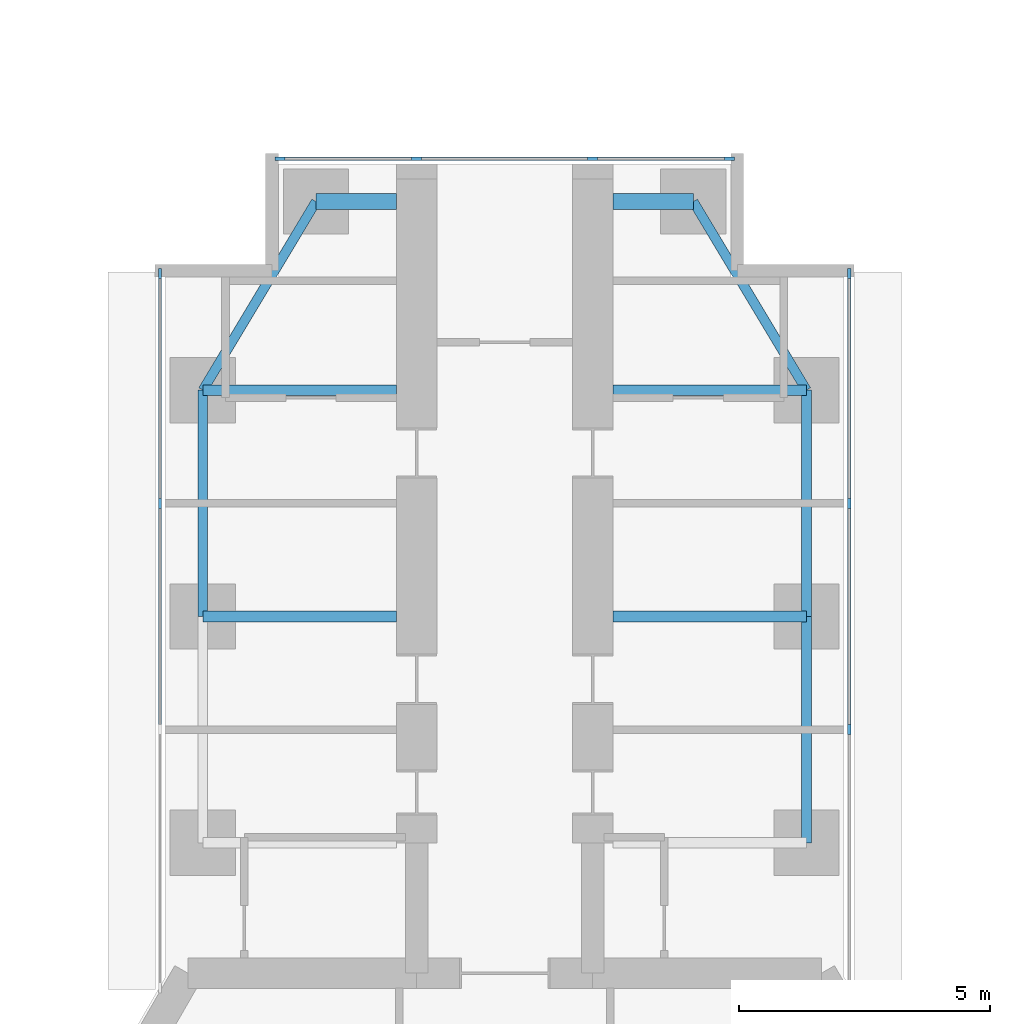
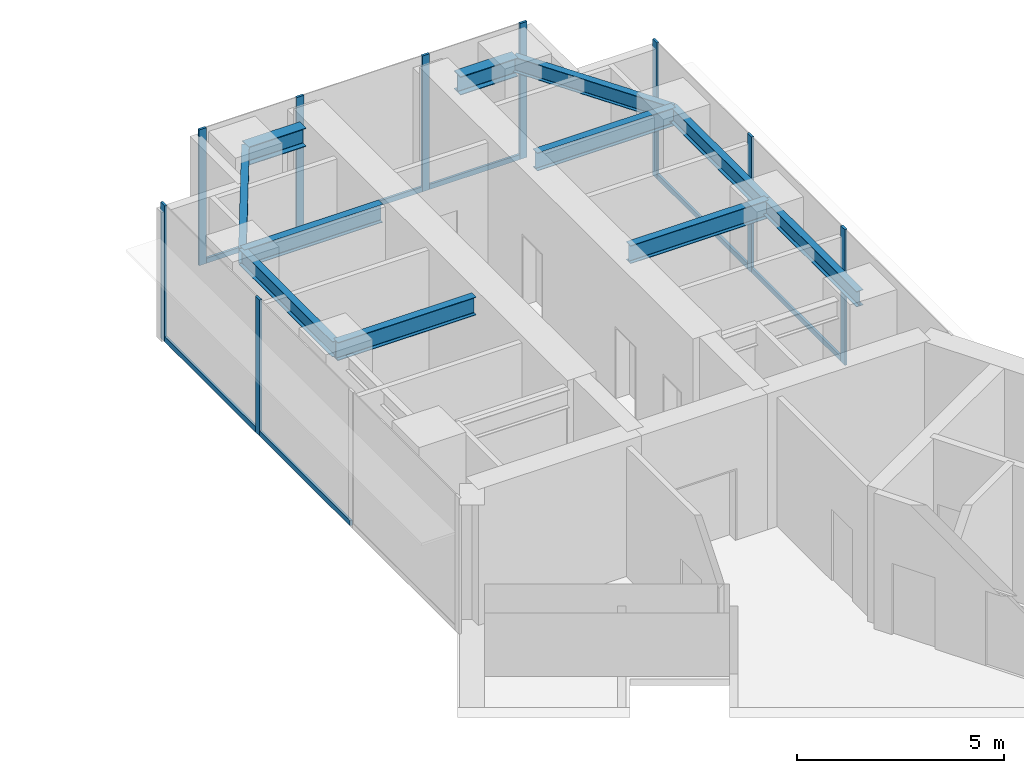
# One storey, part 12 of 22: 16 members, 11 beams, 3 elements without a shape of their own.
"""IFC4 building model written with IfcOpenShell, lengths in metres."""

import ifcopenshell
import ifcopenshell.guid

model = None  # the IFC model being written
_history = None  # IfcOwnerHistory: only IFC2X3 demands one
_inside = {}  # id of a spatial element -> (the spatial element, [elements in it])
_under = {}  # id of a project, library or spatial element -> (it, [spatial elements below it])
_declared = {}  # id of a project -> (the project, [libraries it declares])
_typed = {}  # id of a type object -> (the type object, [elements of that type])
_made_of = {}  # id of a material, layer set ... -> (it, [elements and type objects made of it])


def new_model(schema):
    """Start an empty IFC model of exactly this schema.

    Asked for "IFC4X3", IfcOpenShell would pick the latest addendum, in which some entities
    have other attributes; the version numbers below select the first issue.
    IFC2X3 requires an IfcOwnerHistory on every rooted entity: one is made here for all.
    """
    global model, _history
    if schema == "IFC4X3":
        model = ifcopenshell.file(schema_version=(4, 3, 0, 0))
    else:
        model = ifcopenshell.file(schema=schema)
    _inside.clear()
    _under.clear()
    _declared.clear()
    _typed.clear()
    _made_of.clear()
    _history = None
    if model.schema == "IFC2X3":
        org = make("IfcOrganization", Name="unknown")
        user = make(
            "IfcPersonAndOrganization",
            ThePerson=make("IfcPerson", FamilyName="unknown"),
            TheOrganization=org,
        )
        app = make(
            "IfcApplication",
            ApplicationDeveloper=org,
            Version="unknown",
            ApplicationFullName="unknown",
            ApplicationIdentifier="unknown",
        )
        _history = make(
            "IfcOwnerHistory",
            OwningUser=user,
            OwningApplication=app,
            ChangeAction="ADDED",
            CreationDate=0,
        )
    return model


def make(cls, **values):
    """One entity of the class cls with the attributes given. An attribute that is None is left unset."""
    return model.create_entity(
        cls, **{name: value for name, value in values.items() if value is not None}
    )


def rooted(cls, **values):
    """An entity with a GlobalId (a new one), such as an element, a storey or a relation."""
    return make(cls, GlobalId=ifcopenshell.guid.new(), OwnerHistory=_history, **values)


def si_unit(unit_type, name, prefix=None):
    """IfcSIUnit, for example si_unit("LENGTHUNIT", "METRE", prefix="MILLI")."""
    return make("IfcSIUnit", UnitType=unit_type, Prefix=prefix, Name=name)


def assignment(units):
    """IfcUnitAssignment: the units of a project."""
    return None if units is None else make("IfcUnitAssignment", Units=units)


def point(xyz):
    """IfcCartesianPoint."""
    return None if xyz is None else make("IfcCartesianPoint", Coordinates=xyz)


def direction(xyz):
    """IfcDirection."""
    return None if xyz is None else make("IfcDirection", DirectionRatios=xyz)


def frame(location, z_axis=None, x_axis=None):
    """IfcAxis2Placement3D, a coordinate frame: its origin and axes. An axis left out is left unset."""
    return make(
        "IfcAxis2Placement3D",
        Location=point(location),
        Axis=direction(z_axis),
        RefDirection=direction(x_axis),
    )


def frame_2d(location, x_axis=None):
    """IfcAxis2Placement2D, a coordinate frame in the plane: its origin and x axis."""
    return make(
        "IfcAxis2Placement2D", Location=point(location), RefDirection=direction(x_axis)
    )


def origin():
    """The frame at (0, 0, 0) with its axes left unset."""
    return frame((0.0, 0.0, 0.0))


def origin_2d():
    """The frame at (0, 0) in the plane with its x axis left unset."""
    return frame_2d((0.0, 0.0))


def place(relative_to, where):
    """IfcLocalPlacement: puts the frame where relative to a parent placement (None: the world)."""
    return make(
        "IfcLocalPlacement", PlacementRelTo=relative_to, RelativePlacement=where
    )


def context(
    kind, dimensions, precision=None, world=None, true_north=None, identifier=None
):
    """IfcGeometricRepresentationContext, for example the 3D "Model" context."""
    return make(
        "IfcGeometricRepresentationContext",
        ContextIdentifier=identifier,
        ContextType=kind,
        CoordinateSpaceDimension=dimensions,
        Precision=precision,
        WorldCoordinateSystem=world,
        TrueNorth=true_north,
    )


def subcontext(parent, identifier, kind, view, scale=None):
    """IfcGeometricRepresentationSubContext, for example "Body" below "Model"."""
    return make(
        "IfcGeometricRepresentationSubContext",
        ContextIdentifier=identifier,
        ContextType=kind,
        ParentContext=parent,
        TargetScale=scale,
        TargetView=view,
    )


def project(units=None, contexts=None):
    """IfcProject with its units and contexts."""
    return rooted(
        "IfcProject",
        Name="project",
        RepresentationContexts=contexts,
        UnitsInContext=assignment(units),
    )


def spatial(cls, under=None, at=None, **own):
    """A site, building, storey or space (cls), placed at a placement, below another one or the project."""
    s = rooted(cls, ObjectPlacement=at, **own)
    if under is not None:
        _under.setdefault(under.id(), (under, []))[1].append(s)
    return s


def profile(cls, at=None, kind="AREA", **sizes):
    """A parametric profile (cls). Its sizes go by their IFC names, for example OverallWidth=200.0."""
    return make(cls, ProfileType=kind, Position=at, **sizes)


def rectangle(**sizes):
    """IfcRectangleProfileDef."""
    return profile("IfcRectangleProfileDef", **sizes)


def i_section(**sizes):
    """IfcIShapeProfileDef."""
    return profile("IfcIShapeProfileDef", **sizes)


def extrude(swept, where, along, depth):
    """IfcExtrudedAreaSolid: the profile swept, set in the frame where, extruded along a direction by depth."""
    return make(
        "IfcExtrudedAreaSolid",
        SweptArea=swept,
        Position=where,
        ExtrudedDirection=direction(along),
        Depth=depth,
    )


def shape(context_of_items, identifier, shape_type, items):
    """IfcShapeRepresentation: the items that make up one representation, for example the "Body"."""
    return make(
        "IfcShapeRepresentation",
        ContextOfItems=context_of_items,
        RepresentationIdentifier=identifier,
        RepresentationType=shape_type,
        Items=items,
    )


def material(Name=None, Category=None):
    """IfcMaterial."""
    return make("IfcMaterial", Name=Name, Category=Category)


def material_profile(
    of_material, cross_section, Name=None, Category=None, Priority=None
):
    """IfcMaterialProfile: a cross section and its material."""
    return make(
        "IfcMaterialProfile",
        Name=Name,
        Material=of_material,
        Profile=cross_section,
        Priority=Priority,
        Category=Category,
    )


def profile_set(profiles, Name=None, composite=None):
    """IfcMaterialProfileSet."""
    return make(
        "IfcMaterialProfileSet",
        Name=Name,
        MaterialProfiles=profiles,
        CompositeProfile=composite,
    )


def made_of(thing, what):
    """Note that an element or type object is made of a material, layer set ...; save() writes the relation."""
    if what is not None:
        _made_of.setdefault(what.id(), (what, []))[1].append(thing)
    return thing


def type_object(cls, material=None, **own):
    """A type object (cls), such as IfcWallType, which elements share."""
    return made_of(rooted(cls, **own), material)


def element(
    cls,
    number,
    at=None,
    inside=None,
    cuts=None,
    type_object=None,
    material=None,
    context=None,
    identifier="Body",
    shape_type=None,
    held_by="IfcProductDefinitionShape",
    body=None,
    shapes=None,
    **own,
):
    """One element of the class cls, such as IfcWall. Its Tag is "e" and its number.

    at: its placement. inside: the storey or other place that contains it. cuts: it is an
    opening in that element (IfcRelVoidsElement). A single representation is given by context,
    identifier, shape_type and body (its items); several are given by shapes. held_by: the class
    of the entity that holds the representations. save() writes the other relations.
    """
    e = rooted(cls, Tag="e%d" % number, ObjectPlacement=at, **own)
    if body is not None:
        shapes = [shape(context, identifier, shape_type, body)]
    if shapes is not None:
        e.Representation = make(held_by, Representations=shapes)
    if inside is not None:
        _inside.setdefault(inside.id(), (inside, []))[1].append(e)
    if cuts is not None:
        rooted(
            "IfcRelVoidsElement", RelatingBuildingElement=cuts, RelatedOpeningElement=e
        )
    if type_object is not None:
        _typed.setdefault(type_object.id(), (type_object, []))[1].append(e)
    return made_of(e, material)


def aggregate(whole, parts):
    """IfcRelAggregates: a whole, such as a stair, and the parts it consists of."""
    return rooted("IfcRelAggregates", RelatingObject=whole, RelatedObjects=parts)


def save(model, path):
    """Write the relations noted so far, then the file.

    IfcRelAggregates (storeys below a building ...), IfcRelContainedInSpatialStructure (elements
    in a storey), IfcRelDefinesByType, IfcRelAssociatesMaterial and IfcRelDeclares: one each for
    every whole, place, type object, material and project.
    """
    for whole, parts in _under.values():
        aggregate(whole, parts)
    for where, things in _inside.values():
        rooted(
            "IfcRelContainedInSpatialStructure",
            RelatedElements=things,
            RelatingStructure=where,
        )
    for kind, things in _typed.values():
        rooted("IfcRelDefinesByType", RelatedObjects=things, RelatingType=kind)
    for what, things in _made_of.values():
        rooted("IfcRelAssociatesMaterial", RelatedObjects=things, RelatingMaterial=what)
    for by, libraries in _declared.values():
        rooted("IfcRelDeclares", RelatingContext=by, RelatedDefinitions=libraries)
    model.write(path)


model = new_model("IFC4")

# Units and contexts
model_context = context("Model", 3, precision=1e-05, world=origin(), true_north=direction((0.0, 1.0)))
body_context = subcontext(model_context, "Body", "Model", "MODEL_VIEW")
ifc_project = project(units=[si_unit("LENGTHUNIT", "METRE"), si_unit("AREAUNIT", "SQUARE_METRE"), si_unit("VOLUMEUNIT", "CUBIC_METRE"), si_unit("PLANEANGLEUNIT", "RADIAN"), si_unit("MASSUNIT", "GRAM", prefix="KILO")], contexts=[model_context])

# Site, building, storey
site_placement = place(None, origin())
site = spatial("IfcSite", under=ifc_project, at=site_placement, CompositionType="ELEMENT")
building_placement = place(site_placement, origin())
building = spatial("IfcBuilding", under=site, at=building_placement, Name="Upepo Twin Towers", CompositionType="ELEMENT")
storey_placement = place(building_placement, frame((0.0, 0.0, 141.5)))
storey = spatial("IfcBuildingStorey", under=building, at=storey_placement, Name="L34", CompositionType="ELEMENT", Elevation=141.5)

# Beams
ifc_material_1 = material(Name="Steel S355", Category="steel")
ifc_material_profile_1 = material_profile(ifc_material_1, i_section(OverallWidth=0.1904296875, OverallDepth=0.45703125, WebThickness=0.009033203125, FlangeThickness=0.014404296875, FilletRadius=0.01025390625, at=origin_2d()), Name="UB 457x191x74")
ifc_profile_set_1 = profile_set([ifc_material_profile_1], Name="Steel S355")
beam_type_1 = type_object("IfcBeamType", Name="Beam UB 457x191x74", PredefinedType="BEAM", material=ifc_profile_set_1)
beam_1_placement = place(storey_placement, frame((52.5, 0.0, 3.571533203125), z_axis=(0.0, 1.0, 0.0), x_axis=(-1.0, 0.0, 0.0)))
element("IfcBeam", 1, at=beam_1_placement, inside=storey, type_object=beam_type_1, Name="T2 edge beam AL 18.0-22.5", PredefinedType="BEAM", context=body_context, shape_type="SweptSolid", body=[
    extrude(i_section(OverallWidth=0.1904296875, OverallDepth=0.45703125, WebThickness=0.009033203125, FlangeThickness=0.014404296875, FilletRadius=0.01025390625, at=origin_2d()), origin(), (0.0, 0.0, 1.0), 4.5),
])
beam_2_placement = place(storey_placement, frame((52.5, 4.5, 3.571533203125), z_axis=(0.514495755428, 0.857492925713, 0.0), x_axis=(-0.857492925713, 0.514495755428, 0.0)))
element("IfcBeam", 2, at=beam_2_placement, inside=storey, type_object=beam_type_1, Name="T2 nose edge beam AL", PredefinedType="BEAM", context=body_context, shape_type="SweptSolid", body=[
    extrude(i_section(OverallWidth=0.1904296875, OverallDepth=0.45703125, WebThickness=0.009033203125, FlangeThickness=0.014404296875, FilletRadius=0.01025390625, at=origin_2d()), origin(), (0.0, 0.0, 1.0), 4.373291015625),
])
for number, where, z_axis, x_axis, name in (
    (3, (64.5, -4.5, 3.571533203125), (0.0, 1.0, 0.0), (-1.0, 0.0, 0.0), "T2 edge beam AR 13.5-18.0"),
    (4, (64.5, 0.0, 3.571533203125), (0.0, 1.0, 0.0), (-1.0, 0.0, 0.0), "T2 edge beam AR 18.0-22.5"),
):
    element("IfcBeam", number, at=place(storey_placement, frame(where, z_axis=z_axis, x_axis=x_axis)), inside=storey, type_object=beam_type_1, Name=name, PredefinedType="BEAM", context=body_context, shape_type="SweptSolid", body=[
        extrude(i_section(OverallWidth=0.1904296875, OverallDepth=0.45703125, WebThickness=0.009033203125, FlangeThickness=0.014404296875, FilletRadius=0.01025390625, at=origin_2d()), origin(), (0.0, 0.0, 1.0), 4.5),
    ])
beam_3_placement = place(storey_placement, frame((64.5, 4.5, 3.571533203125), z_axis=(-0.514495755428, 0.857492925713, 0.0), x_axis=(-0.857492925713, -0.514495755428, 0.0)))
element("IfcBeam", 5, at=beam_3_placement, inside=storey, type_object=beam_type_1, Name="T2 nose edge beam AR", PredefinedType="BEAM", context=body_context, shape_type="SweptSolid", body=[
    extrude(i_section(OverallWidth=0.1904296875, OverallDepth=0.45703125, WebThickness=0.009033203125, FlangeThickness=0.014404296875, FilletRadius=0.01025390625, at=origin_2d()), origin(), (0.0, 0.0, 1.0), 4.373291015625),
])
ifc_material_2 = material(Name="Steel S355", Category="steel")
ifc_material_profile_2 = material_profile(ifc_material_2, i_section(OverallWidth=0.209228515625, OverallDepth=0.533203125, WebThickness=0.010009765625, FlangeThickness=0.015625, FilletRadius=0.0126953125, at=origin_2d()), Name="UB 533x210x92")
ifc_profile_set_2 = profile_set([ifc_material_profile_2], Name="Steel S355")
beam_type_2 = type_object("IfcBeamType", Name="Beam UB 533x210x92", PredefinedType="BEAM", material=ifc_profile_set_2)
for number, where, z_axis, x_axis, name in (
    (6, (52.5, 0.0, 3.533447265625), (1.0, 0.0, 0.0), (0.0, 1.0, 0.0), "T2 girder AL at 18.0"),
    (7, (52.5, 4.5, 3.533447265625), (1.0, 0.0, 0.0), (0.0, 1.0, 0.0), "T2 girder AL at 22.5"),
    (8, (64.5, 0.0, 3.533447265625), (-1.0, 0.0, 0.0), (0.0, -1.0, 0.0), "T2 girder AR at 18.0"),
    (9, (64.5, 4.5, 3.533447265625), (-1.0, 0.0, 0.0), (0.0, -1.0, 0.0), "T2 girder AR at 22.5"),
):
    element("IfcBeam", number, at=place(storey_placement, frame(where, z_axis=z_axis, x_axis=x_axis)), inside=storey, type_object=beam_type_2, Name=name, PredefinedType="BEAM", context=body_context, shape_type="SweptSolid", body=[
        extrude(i_section(OverallWidth=0.209228515625, OverallDepth=0.533203125, WebThickness=0.010009765625, FlangeThickness=0.015625, FilletRadius=0.0126953125, at=origin_2d()), origin(), (0.0, 0.0, 1.0), 3.85009765625),
    ])
ifc_material_3 = material(Name="Steel S355", Category="steel")
ifc_material_profile_3 = material_profile(ifc_material_3, i_section(OverallWidth=0.31201171875, OverallDepth=0.54345703125, WebThickness=0.0126953125, FlangeThickness=0.020263671875, FilletRadius=0.0126953125, at=origin_2d()), Name="UB 533x312x150")
ifc_profile_set_3 = profile_set([ifc_material_profile_3], Name="Steel S355")
beam_type_3 = type_object("IfcBeamType", Name="Beam UB 533x312x150", PredefinedType="BEAM", material=ifc_profile_set_3)
for number, where, z_axis, x_axis, name in (
    (10, (54.75, 8.25, 3.5283203125), (1.0, 0.0, 0.0), (0.0, 1.0, 0.0), "T2 nose beam AL"),
    (11, (62.25, 8.25, 3.5283203125), (-1.0, 0.0, 0.0), (0.0, -1.0, 0.0), "T2 nose beam AR"),
):
    element("IfcBeam", number, at=place(storey_placement, frame(where, z_axis=z_axis, x_axis=x_axis)), inside=storey, type_object=beam_type_3, Name=name, PredefinedType="BEAM", context=body_context, shape_type="SweptSolid", body=[
        extrude(i_section(OverallWidth=0.31201171875, OverallDepth=0.54345703125, WebThickness=0.0126953125, FlangeThickness=0.020263671875, FilletRadius=0.0126953125, at=origin_2d()), origin(), (0.0, 0.0, 1.0), 1.60009765625),
    ])

# Curtain wall, members
ifc_material_4 = material(Name="Aluminium and fritted glass", Category="aluminium")
curtain_wall_type = type_object("IfcCurtainWallType", Name="Tower curtain wall TW2, fritted glass", PredefinedType="NOTDEFINED", material=ifc_material_4)
curtain_wall_1_placement = place(storey_placement, origin())
curtain_wall_1 = element("IfcCurtainWall", 12, at=curtain_wall_1_placement, inside=storey, type_object=curtain_wall_type, Name="T2 L34 wing A flank L curtain wall", PredefinedType="NOTDEFINED")
ifc_material_5 = material(Name="Aluminium mullion", Category="aluminium")
ifc_material_profile_4 = material_profile(ifc_material_5, rectangle(XDim=0.06494140625, YDim=0.199951171875, at=origin_2d()), Name="MULLION 65x200")
ifc_profile_set_4 = profile_set([ifc_material_profile_4], Name="Aluminium mullion")
member_type_1 = type_object("IfcMemberType", Name="Mullion 65x200 TW2", PredefinedType="MULLION", material=ifc_profile_set_4)
member_1_placement = place(storey_placement, frame((51.64990234375, 2.25, 0.0), z_axis=(0.0, 0.0, 1.0), x_axis=(-1.0, 0.0, 0.0)))
member_1 = element("IfcMember", 13, at=member_1_placement, type_object=member_type_1, Name="T2 L34 wing A flank L curtain wall mullion 3", PredefinedType="MULLION", context=body_context, shape_type="SweptSolid", body=[
    extrude(rectangle(XDim=0.06494140625, YDim=0.199951171875, at=origin_2d()), origin(), (0.0, 0.0, 1.0), 4.0),
])
member_2_placement = place(storey_placement, frame((51.64990234375, 6.8173828125, 0.0), z_axis=(0.0, 0.0, 1.0), x_axis=(-1.0, 0.0, 0.0)))
member_2 = element("IfcMember", 14, at=member_2_placement, type_object=member_type_1, Name="T2 L34 wing A flank L curtain wall mullion 4", PredefinedType="MULLION", context=body_context, shape_type="SweptSolid", body=[
    extrude(rectangle(XDim=0.06494140625, YDim=0.199951171875, at=origin_2d()), origin(), (0.0, 0.0, 1.0), 4.0),
])

curtain_wall_2_placement = place(storey_placement, origin())
curtain_wall_2 = element("IfcCurtainWall", 15, at=curtain_wall_2_placement, inside=storey, type_object=curtain_wall_type, Name="T2 L34 wing A flank R curtain wall", PredefinedType="NOTDEFINED")
member_3_placement = place(storey_placement, frame((65.35009765625, 6.8173828125, 0.0), z_axis=(0.0, 0.0, 1.0), x_axis=(1.0, 0.0, 0.0)))
member_3 = element("IfcMember", 16, at=member_3_placement, type_object=member_type_1, Name="T2 L34 wing A flank R curtain wall mullion 1", PredefinedType="MULLION", context=body_context, shape_type="SweptSolid", body=[
    extrude(rectangle(XDim=0.06494140625, YDim=0.199951171875, at=origin_2d()), origin(), (0.0, 0.0, 1.0), 4.0),
])
member_4_placement = place(storey_placement, frame((65.35009765625, 2.25, 0.0), z_axis=(0.0, 0.0, 1.0), x_axis=(1.0, 0.0, 0.0)))
member_4 = element("IfcMember", 17, at=member_4_placement, type_object=member_type_1, Name="T2 L34 wing A flank R curtain wall mullion 2", PredefinedType="MULLION", context=body_context, shape_type="SweptSolid", body=[
    extrude(rectangle(XDim=0.06494140625, YDim=0.199951171875, at=origin_2d()), origin(), (0.0, 0.0, 1.0), 4.0),
])
member_5_placement = place(storey_placement, frame((65.35009765625, -2.25, 0.0), z_axis=(0.0, 0.0, 1.0), x_axis=(1.0, 0.0, 0.0)))
member_5 = element("IfcMember", 18, at=member_5_placement, type_object=member_type_1, Name="T2 L34 wing A flank R curtain wall mullion 3", PredefinedType="MULLION", context=body_context, shape_type="SweptSolid", body=[
    extrude(rectangle(XDim=0.06494140625, YDim=0.199951171875, at=origin_2d()), origin(), (0.0, 0.0, 1.0), 4.0),
])

curtain_wall_3_placement = place(storey_placement, origin())
curtain_wall_3 = element("IfcCurtainWall", 19, at=curtain_wall_3_placement, inside=storey, type_object=curtain_wall_type, Name="T2 L34 wing A nose curtain wall", PredefinedType="NOTDEFINED")
member_6_placement = place(storey_placement, frame((62.967529296875, 9.10009765625, 0.0), z_axis=(0.0, 0.0, 1.0), x_axis=(0.0, -1.0, 0.0)))
member_6 = element("IfcMember", 20, at=member_6_placement, type_object=member_type_1, Name="T2 L34 wing A nose curtain wall mullion 1", PredefinedType="MULLION", context=body_context, shape_type="SweptSolid", body=[
    extrude(rectangle(XDim=0.06494140625, YDim=0.199951171875, at=origin_2d()), origin(), (0.0, 0.0, 1.0), 4.0),
])
member_7_placement = place(storey_placement, frame((60.25, 9.10009765625, 0.0), z_axis=(0.0, 0.0, 1.0), x_axis=(0.0, -1.0, 0.0)))
member_7 = element("IfcMember", 21, at=member_7_placement, type_object=member_type_1, Name="T2 L34 wing A nose curtain wall mullion 2", PredefinedType="MULLION", context=body_context, shape_type="SweptSolid", body=[
    extrude(rectangle(XDim=0.06494140625, YDim=0.199951171875, at=origin_2d()), origin(), (0.0, 0.0, 1.0), 4.0),
])
member_8_placement = place(storey_placement, frame((56.75, 9.10009765625, 0.0), z_axis=(0.0, 0.0, 1.0), x_axis=(0.0, -1.0, 0.0)))
member_8 = element("IfcMember", 22, at=member_8_placement, type_object=member_type_1, Name="T2 L34 wing A nose curtain wall mullion 3", PredefinedType="MULLION", context=body_context, shape_type="SweptSolid", body=[
    extrude(rectangle(XDim=0.06494140625, YDim=0.199951171875, at=origin_2d()), origin(), (0.0, 0.0, 1.0), 4.0),
])
member_9_placement = place(storey_placement, frame((54.032470703125, 9.10009765625, 0.0), z_axis=(0.0, 0.0, 1.0), x_axis=(0.0, -1.0, 0.0)))
member_9 = element("IfcMember", 23, at=member_9_placement, type_object=member_type_1, Name="T2 L34 wing A nose curtain wall mullion 4", PredefinedType="MULLION", context=body_context, shape_type="SweptSolid", body=[
    extrude(rectangle(XDim=0.06494140625, YDim=0.199951171875, at=origin_2d()), origin(), (0.0, 0.0, 1.0), 4.0),
])

# Member
ifc_material_6 = material(Name="Aluminium transom", Category="aluminium")
ifc_material_profile_5 = material_profile(ifc_material_6, rectangle(XDim=0.06494140625, YDim=0.14990234375, at=origin_2d()), Name="TRANSOM 65x150")
ifc_profile_set_5 = profile_set([ifc_material_profile_5], Name="Aluminium transom")
member_type_2 = type_object("IfcMemberType", Name="Transom 65x150 TW2", PredefinedType="USERDEFINED", material=ifc_profile_set_5)
member_10_placement = place(storey_placement, frame((51.64990234375, -2.217529296875, 0.074951171875), z_axis=(0.0, 1.0, 0.0), x_axis=(-1.0, 0.0, 0.0)))
member_10 = element("IfcMember", 24, at=member_10_placement, type_object=member_type_2, Name="T2 L34 wing A flank L curtain wall transom 2", ObjectType="TRANSOM", PredefinedType="USERDEFINED", context=body_context, shape_type="SweptSolid", body=[
    extrude(rectangle(XDim=0.06494140625, YDim=0.14990234375, at=origin_2d()), origin(), (0.0, 0.0, 1.0), 4.43505859375),
])

member_11_placement = place(storey_placement, frame((51.64990234375, 2.282470703125, 0.074951171875), z_axis=(0.0, 1.0, 0.0), x_axis=(-1.0, 0.0, 0.0)))
member_11 = element("IfcMember", 25, at=member_11_placement, type_object=member_type_2, Name="T2 L34 wing A flank L curtain wall transom 3", ObjectType="TRANSOM", PredefinedType="USERDEFINED", context=body_context, shape_type="SweptSolid", body=[
    extrude(rectangle(XDim=0.06494140625, YDim=0.14990234375, at=origin_2d()), origin(), (0.0, 0.0, 1.0), 4.50244140625),
])

aggregate(curtain_wall_1, [member_1, member_2, member_10, member_11])

member_12_placement = place(storey_placement, frame((65.35009765625, 6.784912109375, 0.074951171875), z_axis=(0.0, -1.0, 0.0), x_axis=(1.0, 0.0, 0.0)))
member_12 = element("IfcMember", 26, at=member_12_placement, type_object=member_type_2, Name="T2 L34 wing A flank R curtain wall transom 1", ObjectType="TRANSOM", PredefinedType="USERDEFINED", context=body_context, shape_type="SweptSolid", body=[
    extrude(rectangle(XDim=0.06494140625, YDim=0.14990234375, at=origin_2d()), origin(), (0.0, 0.0, 1.0), 4.50244140625),
])

member_13_placement = place(storey_placement, frame((65.35009765625, 2.217529296875, 0.074951171875), z_axis=(0.0, -1.0, 0.0), x_axis=(1.0, 0.0, 0.0)))
member_13 = element("IfcMember", 27, at=member_13_placement, type_object=member_type_2, Name="T2 L34 wing A flank R curtain wall transom 2", ObjectType="TRANSOM", PredefinedType="USERDEFINED", context=body_context, shape_type="SweptSolid", body=[
    extrude(rectangle(XDim=0.06494140625, YDim=0.14990234375, at=origin_2d()), origin(), (0.0, 0.0, 1.0), 4.43505859375),
])

aggregate(curtain_wall_2, [member_3, member_4, member_5, member_12, member_13])

member_14_placement = place(storey_placement, frame((62.93505859375, 9.10009765625, 0.074951171875), z_axis=(-1.0, 0.0, 0.0), x_axis=(0.0, -1.0, 0.0)))
member_14 = element("IfcMember", 28, at=member_14_placement, type_object=member_type_2, Name="T2 L34 wing A nose curtain wall transom 1", ObjectType="TRANSOM", PredefinedType="USERDEFINED", context=body_context, shape_type="SweptSolid", body=[
    extrude(rectangle(XDim=0.06494140625, YDim=0.14990234375, at=origin_2d()), origin(), (0.0, 0.0, 1.0), 2.652587890625),
])

member_15_placement = place(storey_placement, frame((60.217529296875, 9.10009765625, 0.074951171875), z_axis=(-1.0, 0.0, 0.0), x_axis=(0.0, -1.0, 0.0)))
member_15 = element("IfcMember", 29, at=member_15_placement, type_object=member_type_2, Name="T2 L34 wing A nose curtain wall transom 2", ObjectType="TRANSOM", PredefinedType="USERDEFINED", context=body_context, shape_type="SweptSolid", body=[
    extrude(rectangle(XDim=0.06494140625, YDim=0.14990234375, at=origin_2d()), origin(), (0.0, 0.0, 1.0), 3.43505859375),
])

member_16_placement = place(storey_placement, frame((56.717529296875, 9.10009765625, 0.074951171875), z_axis=(-1.0, 0.0, 0.0), x_axis=(0.0, -1.0, 0.0)))
member_16 = element("IfcMember", 30, at=member_16_placement, type_object=member_type_2, Name="T2 L34 wing A nose curtain wall transom 3", ObjectType="TRANSOM", PredefinedType="USERDEFINED", context=body_context, shape_type="SweptSolid", body=[
    extrude(rectangle(XDim=0.06494140625, YDim=0.14990234375, at=origin_2d()), origin(), (0.0, 0.0, 1.0), 2.652587890625),
])

aggregate(curtain_wall_3, [member_6, member_7, member_8, member_9, member_14, member_15, member_16])

save(model, "model.ifc")
